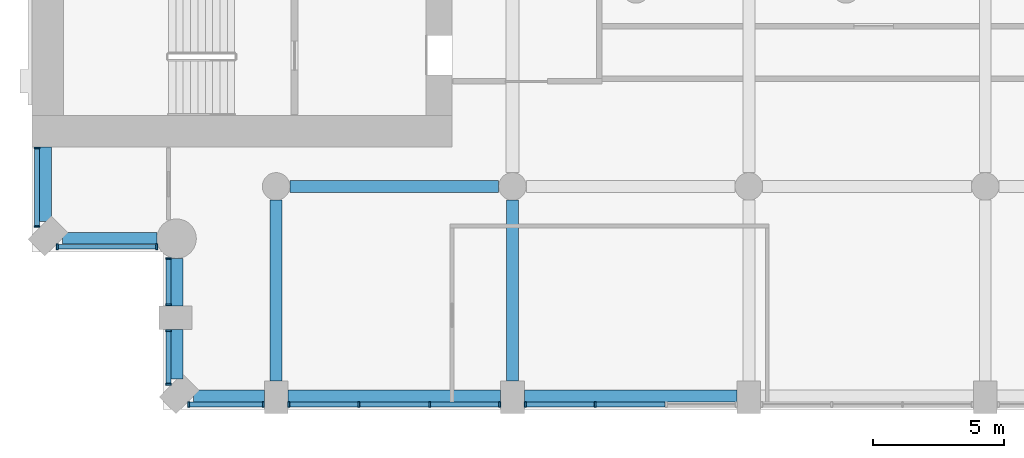
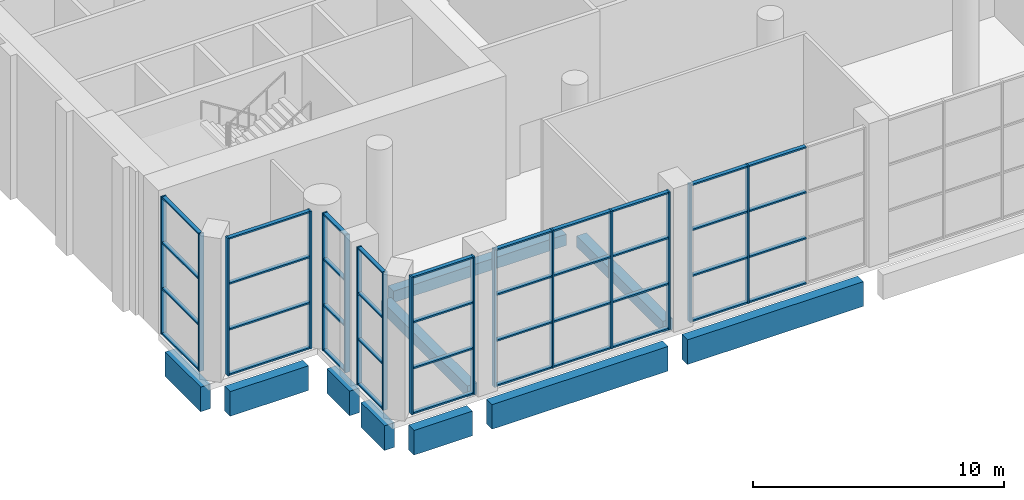
# One storey, part 2 of 22: 56 members, 10 beams, 7 elements without a shape of their own.
"""IFC4 building model written with IfcOpenShell, lengths in metres."""

from ifc_helpers import new_model, si_unit, direction, frame, origin, origin_2d, place, context, subcontext, project, spatial, rectangle, extrude, material, material_profile, profile_set, type_object, element, aggregate, save


model = new_model("IFC4")

# Units and contexts
model_context = context("Model", 3, precision=1e-05, world=origin(), true_north=direction((0.0, 1.0)))
body_context = subcontext(model_context, "Body", "Model", "MODEL_VIEW")
ifc_project = project(units=[si_unit("LENGTHUNIT", "METRE"), si_unit("AREAUNIT", "SQUARE_METRE"), si_unit("VOLUMEUNIT", "CUBIC_METRE"), si_unit("PLANEANGLEUNIT", "RADIAN"), si_unit("MASSUNIT", "GRAM", prefix="KILO")], contexts=[model_context])

# Site, building, storey
site_placement = place(None, origin())
site = spatial("IfcSite", under=ifc_project, at=site_placement, CompositionType="ELEMENT")
building_placement = place(site_placement, origin())
building = spatial("IfcBuilding", under=site, at=building_placement, Name="Cypress Arch Tower", CompositionType="ELEMENT")
storey_placement = place(building_placement, frame((0.0, 0.0, 145.5)))
storey = spatial("IfcBuildingStorey", under=building, at=storey_placement, Name="L32", CompositionType="ELEMENT", Elevation=145.5)

# Beams
ifc_material_1 = material(Name="Concrete C50/60", Category="concrete")
ifc_material_profile_1 = material_profile(ifc_material_1, rectangle(XDim=0.449951171875, YDim=0.550048828125, at=origin_2d()), Name="RC 450x550")
ifc_profile_set_1 = profile_set([ifc_material_profile_1], Name="Concrete C50/60")
beam_type_1 = type_object("IfcBeamType", Name="Floor beam RC 450x550 Concrete C50/60", PredefinedType="BEAM", material=ifc_profile_set_1)
beam_1_placement = place(storey_placement, frame((-20.175048828125, -17.5, -0.574951171875), z_axis=(1.0, 0.0, 0.0), x_axis=(0.0, 1.0, 0.0)))
element("IfcBeam", 1, at=beam_1_placement, inside=storey, type_object=beam_type_1, Name="Floor beam L32 FB009", PredefinedType="BEAM", context=body_context, shape_type="SweptSolid", body=[
    extrude(rectangle(XDim=0.449951171875, YDim=0.550048828125, at=origin_2d()), origin(), (0.0, 0.0, 1.0), 7.949951171875),
])
for number, where, z_axis, x_axis, name in (
    (2, (-20.699951171875, -24.89990234375, -0.574951171875), (0.0, 1.0, 0.0), (-1.0, 0.0, 0.0), "Floor beam L32 FB019"),
    (3, (-11.699951171875, -24.89990234375, -0.574951171875), (0.0, 1.0, 0.0), (-1.0, 0.0, 0.0), "Floor beam L32 FB021"),
):
    element("IfcBeam", number, at=place(storey_placement, frame(where, z_axis=z_axis, x_axis=x_axis)), inside=storey, type_object=beam_type_1, Name=name, PredefinedType="BEAM", context=body_context, shape_type="SweptSolid", body=[
        extrude(rectangle(XDim=0.449951171875, YDim=0.550048828125, at=origin_2d()), origin(), (0.0, 0.0, 1.0), 6.875),
    ])

# Curtain wall, members
ifc_material_2 = material(Name="Anodised aluminium, bronze finish, solar control laminated double glazing", Category="aluminium")
curtain_wall_type = type_object("IfcCurtainWallType", Name="Curtain wall CW3 sky lobby glazing", PredefinedType="NOTDEFINED", material=ifc_material_2)
curtain_wall_1_placement = place(storey_placement, origin())
curtain_wall_1 = element("IfcCurtainWall", 4, at=curtain_wall_1_placement, inside=storey, type_object=curtain_wall_type, Name="Curtain wall L32 A00.0.1.1", PredefinedType="NOTDEFINED")
ifc_material_3 = material(Name="Anodised aluminium, bronze finish", Category="aluminium")
ifc_material_profile_2 = material_profile(ifc_material_3, rectangle(XDim=0.219970703125, YDim=0.074951171875, at=origin_2d()), Name="Mullion 75x220")
ifc_profile_set_2 = profile_set([ifc_material_profile_2], Name="Anodised aluminium, bronze finish")
member_type_1 = type_object("IfcMemberType", Name="Mullion CW3 75x220", PredefinedType="MULLION", material=ifc_profile_set_2)
member_1_placement = place(storey_placement, frame((-29.800048828125, -16.03759765625, 0.0), z_axis=(0.0, 0.0, 1.0), x_axis=(1.0, 0.0, 0.0)))
member_1 = element("IfcMember", 5, at=member_1_placement, type_object=member_type_1, Name="CW3 mullion 1", PredefinedType="MULLION", context=body_context, shape_type="SweptSolid", body=[
    extrude(rectangle(XDim=0.219970703125, YDim=0.074951171875, at=origin_2d()), origin(), (0.0, 0.0, 1.0), 6.699951171875),
])
member_2_placement = place(storey_placement, frame((-29.800048828125, -19.026123046875, 0.0), z_axis=(0.0, 0.0, 1.0), x_axis=(1.0, 0.0, 0.0)))
member_2 = element("IfcMember", 6, at=member_2_placement, type_object=member_type_1, Name="CW3 mullion 2", PredefinedType="MULLION", context=body_context, shape_type="SweptSolid", body=[
    extrude(rectangle(XDim=0.219970703125, YDim=0.074951171875, at=origin_2d()), origin(), (0.0, 0.0, 1.0), 6.699951171875),
])

curtain_wall_2_placement = place(storey_placement, origin())
curtain_wall_2 = element("IfcCurtainWall", 7, at=curtain_wall_2_placement, inside=storey, type_object=curtain_wall_type, Name="Curtain wall L32 A01.0.1", PredefinedType="NOTDEFINED")
member_3_placement = place(storey_placement, frame((-29.026123046875, -19.800048828125, 0.0), z_axis=(0.0, 0.0, 1.0), x_axis=(0.0, 1.0, 0.0)))
member_3 = element("IfcMember", 8, at=member_3_placement, type_object=member_type_1, Name="CW3 mullion 1", PredefinedType="MULLION", context=body_context, shape_type="SweptSolid", body=[
    extrude(rectangle(XDim=0.219970703125, YDim=0.074951171875, at=origin_2d()), origin(), (0.0, 0.0, 1.0), 6.699951171875),
])
member_4_placement = place(storey_placement, frame((-25.244384765625, -19.800048828125, 0.0), z_axis=(0.0, 0.0, 1.0), x_axis=(0.0, 1.0, 0.0)))
member_4 = element("IfcMember", 9, at=member_4_placement, type_object=member_type_1, Name="CW3 mullion 2", PredefinedType="MULLION", context=body_context, shape_type="SweptSolid", body=[
    extrude(rectangle(XDim=0.219970703125, YDim=0.074951171875, at=origin_2d()), origin(), (0.0, 0.0, 1.0), 6.699951171875),
])

curtain_wall_3_placement = place(storey_placement, origin())
curtain_wall_3 = element("IfcCurtainWall", 10, at=curtain_wall_3_placement, inside=storey, type_object=curtain_wall_type, Name="Curtain wall L32 A02.0.1", PredefinedType="NOTDEFINED")
member_5_placement = place(storey_placement, frame((-24.800048828125, -20.244384765625, 0.0), z_axis=(0.0, 0.0, 1.0), x_axis=(1.0, 0.0, 0.0)))
member_5 = element("IfcMember", 11, at=member_5_placement, type_object=member_type_1, Name="CW3 mullion 1", PredefinedType="MULLION", context=body_context, shape_type="SweptSolid", body=[
    extrude(rectangle(XDim=0.219970703125, YDim=0.074951171875, at=origin_2d()), origin(), (0.0, 0.0, 1.0), 6.699951171875),
])
member_6_placement = place(storey_placement, frame((-24.800048828125, -22.012451171875, 0.0), z_axis=(0.0, 0.0, 1.0), x_axis=(1.0, 0.0, 0.0)))
member_6 = element("IfcMember", 12, at=member_6_placement, type_object=member_type_1, Name="CW3 mullion 2", PredefinedType="MULLION", context=body_context, shape_type="SweptSolid", body=[
    extrude(rectangle(XDim=0.219970703125, YDim=0.074951171875, at=origin_2d()), origin(), (0.0, 0.0, 1.0), 6.699951171875),
])

curtain_wall_4_placement = place(storey_placement, origin())
curtain_wall_4 = element("IfcCurtainWall", 13, at=curtain_wall_4_placement, inside=storey, type_object=curtain_wall_type, Name="Curtain wall L32 A02.1.1", PredefinedType="NOTDEFINED")
member_7_placement = place(storey_placement, frame((-24.800048828125, -22.987548828125, 0.0), z_axis=(0.0, 0.0, 1.0), x_axis=(1.0, 0.0, 0.0)))
member_7 = element("IfcMember", 14, at=member_7_placement, type_object=member_type_1, Name="CW3 mullion 1", PredefinedType="MULLION", context=body_context, shape_type="SweptSolid", body=[
    extrude(rectangle(XDim=0.219970703125, YDim=0.074951171875, at=origin_2d()), origin(), (0.0, 0.0, 1.0), 6.699951171875),
])
member_8_placement = place(storey_placement, frame((-24.800048828125, -25.026123046875, 0.0), z_axis=(0.0, 0.0, 1.0), x_axis=(1.0, 0.0, 0.0)))
member_8 = element("IfcMember", 15, at=member_8_placement, type_object=member_type_1, Name="CW3 mullion 2", PredefinedType="MULLION", context=body_context, shape_type="SweptSolid", body=[
    extrude(rectangle(XDim=0.219970703125, YDim=0.074951171875, at=origin_2d()), origin(), (0.0, 0.0, 1.0), 6.699951171875),
])

curtain_wall_5_placement = place(storey_placement, origin())
curtain_wall_5 = element("IfcCurtainWall", 16, at=curtain_wall_5_placement, inside=storey, type_object=curtain_wall_type, Name="Curtain wall L32 A03.0.1", PredefinedType="NOTDEFINED")
member_9_placement = place(storey_placement, frame((-24.026123046875, -25.800048828125, 0.0), z_axis=(0.0, 0.0, 1.0), x_axis=(0.0, 1.0, 0.0)))
member_9 = element("IfcMember", 17, at=member_9_placement, type_object=member_type_1, Name="CW3 mullion 1", PredefinedType="MULLION", context=body_context, shape_type="SweptSolid", body=[
    extrude(rectangle(XDim=0.219970703125, YDim=0.074951171875, at=origin_2d()), origin(), (0.0, 0.0, 1.0), 6.699951171875),
])
member_10_placement = place(storey_placement, frame((-21.1875, -25.800048828125, 0.0), z_axis=(0.0, 0.0, 1.0), x_axis=(0.0, 1.0, 0.0)))
member_10 = element("IfcMember", 18, at=member_10_placement, type_object=member_type_1, Name="CW3 mullion 2", PredefinedType="MULLION", context=body_context, shape_type="SweptSolid", body=[
    extrude(rectangle(XDim=0.219970703125, YDim=0.074951171875, at=origin_2d()), origin(), (0.0, 0.0, 1.0), 6.699951171875),
])

curtain_wall_6_placement = place(storey_placement, origin())
curtain_wall_6 = element("IfcCurtainWall", 19, at=curtain_wall_6_placement, inside=storey, type_object=curtain_wall_type, Name="Curtain wall L32 A03.1.1", PredefinedType="NOTDEFINED")
member_11_placement = place(storey_placement, frame((-20.21240234375, -25.800048828125, 0.0), z_axis=(0.0, 0.0, 1.0), x_axis=(0.0, 1.0, 0.0)))
member_11 = element("IfcMember", 20, at=member_11_placement, type_object=member_type_1, Name="CW3 mullion 1", PredefinedType="MULLION", context=body_context, shape_type="SweptSolid", body=[
    extrude(rectangle(XDim=0.219970703125, YDim=0.074951171875, at=origin_2d()), origin(), (0.0, 0.0, 1.0), 6.699951171875),
])
member_12_placement = place(storey_placement, frame((-17.550048828125, -25.800048828125, 0.0), z_axis=(0.0, 0.0, 1.0), x_axis=(0.0, 1.0, 0.0)))
member_12 = element("IfcMember", 21, at=member_12_placement, type_object=member_type_1, Name="CW3 mullion 2", PredefinedType="MULLION", context=body_context, shape_type="SweptSolid", body=[
    extrude(rectangle(XDim=0.219970703125, YDim=0.074951171875, at=origin_2d()), origin(), (0.0, 0.0, 1.0), 6.699951171875),
])
member_13_placement = place(storey_placement, frame((-14.85009765625, -25.800048828125, 0.0), z_axis=(0.0, 0.0, 1.0), x_axis=(0.0, 1.0, 0.0)))
member_13 = element("IfcMember", 22, at=member_13_placement, type_object=member_type_1, Name="CW3 mullion 3", PredefinedType="MULLION", context=body_context, shape_type="SweptSolid", body=[
    extrude(rectangle(XDim=0.219970703125, YDim=0.074951171875, at=origin_2d()), origin(), (0.0, 0.0, 1.0), 6.699951171875),
])
member_14_placement = place(storey_placement, frame((-12.1875, -25.800048828125, 0.0), z_axis=(0.0, 0.0, 1.0), x_axis=(0.0, 1.0, 0.0)))
member_14 = element("IfcMember", 23, at=member_14_placement, type_object=member_type_1, Name="CW3 mullion 4", PredefinedType="MULLION", context=body_context, shape_type="SweptSolid", body=[
    extrude(rectangle(XDim=0.219970703125, YDim=0.074951171875, at=origin_2d()), origin(), (0.0, 0.0, 1.0), 6.699951171875),
])

curtain_wall_7_placement = place(storey_placement, origin())
curtain_wall_7 = element("IfcCurtainWall", 24, at=curtain_wall_7_placement, inside=storey, type_object=curtain_wall_type, Name="Curtain wall L32 A03.2.1", PredefinedType="NOTDEFINED")
member_15_placement = place(storey_placement, frame((-11.21240234375, -25.800048828125, 0.0), z_axis=(0.0, 0.0, 1.0), x_axis=(0.0, 1.0, 0.0)))
member_15 = element("IfcMember", 25, at=member_15_placement, type_object=member_type_1, Name="CW3 mullion 1", PredefinedType="MULLION", context=body_context, shape_type="SweptSolid", body=[
    extrude(rectangle(XDim=0.219970703125, YDim=0.074951171875, at=origin_2d()), origin(), (0.0, 0.0, 1.0), 6.699951171875),
])
member_16_placement = place(storey_placement, frame((-8.550048828125, -25.800048828125, 0.0), z_axis=(0.0, 0.0, 1.0), x_axis=(0.0, 1.0, 0.0)))
member_16 = element("IfcMember", 26, at=member_16_placement, type_object=member_type_1, Name="CW3 mullion 2", PredefinedType="MULLION", context=body_context, shape_type="SweptSolid", body=[
    extrude(rectangle(XDim=0.219970703125, YDim=0.074951171875, at=origin_2d()), origin(), (0.0, 0.0, 1.0), 6.699951171875),
])

# Beams
ifc_material_4 = material(Name="Concrete C50/60", Category="concrete")
ifc_material_profile_3 = material_profile(ifc_material_4, rectangle(XDim=0.449951171875, YDim=1.199951171875, at=origin_2d()), Name="RC 450x1200")
ifc_profile_set_3 = profile_set([ifc_material_profile_3], Name="Concrete C50/60")
beam_type_2 = type_object("IfcBeamType", Name="Spandrel beam RC 450x1200 Concrete C50/60", PredefinedType="SPANDREL", material=ifc_profile_set_3)
beam_2_placement = place(storey_placement, frame((-29.47509765625, -16.0, -1.550048828125), z_axis=(0.0, -1.0, 0.0), x_axis=(1.0, 0.0, 0.0)))
element("IfcBeam", 27, at=beam_2_placement, inside=storey, type_object=beam_type_2, Name="Spandrel beam L32 BA00-0", PredefinedType="SPANDREL", context=body_context, shape_type="SweptSolid", body=[
    extrude(rectangle(XDim=0.449951171875, YDim=1.199951171875, at=origin_2d()), origin(), (0.0, 0.0, 1.0), 2.838623046875),
])
beam_3_placement = place(storey_placement, frame((-28.838623046875, -19.47509765625, -1.550048828125), z_axis=(1.0, 0.0, 0.0), x_axis=(0.0, 1.0, 0.0)))
element("IfcBeam", 28, at=beam_3_placement, inside=storey, type_object=beam_type_2, Name="Spandrel beam L32 BA01-0", PredefinedType="SPANDREL", context=body_context, shape_type="SweptSolid", body=[
    extrude(rectangle(XDim=0.449951171875, YDim=1.199951171875, at=origin_2d()), origin(), (0.0, 0.0, 1.0), 3.60107421875),
])
beam_4_placement = place(storey_placement, frame((-24.47509765625, -20.237548828125, -1.550048828125), z_axis=(0.0, -1.0, 0.0), x_axis=(1.0, 0.0, 0.0)))
element("IfcBeam", 29, at=beam_4_placement, inside=storey, type_object=beam_type_2, Name="Spandrel beam L32 BA02-0", PredefinedType="SPANDREL", context=body_context, shape_type="SweptSolid", body=[
    extrude(rectangle(XDim=0.449951171875, YDim=1.199951171875, at=origin_2d()), origin(), (0.0, 0.0, 1.0), 1.8125),
])
beam_5_placement = place(storey_placement, frame((-24.47509765625, -22.949951171875, -1.550048828125), z_axis=(0.0, -1.0, 0.0), x_axis=(1.0, 0.0, 0.0)))
element("IfcBeam", 30, at=beam_5_placement, inside=storey, type_object=beam_type_2, Name="Spandrel beam L32 BA02-1", PredefinedType="SPANDREL", context=body_context, shape_type="SweptSolid", body=[
    extrude(rectangle(XDim=0.449951171875, YDim=1.199951171875, at=origin_2d()), origin(), (0.0, 0.0, 1.0), 1.888671875),
])
beam_6_placement = place(storey_placement, frame((-23.838623046875, -25.47509765625, -1.550048828125), z_axis=(1.0, 0.0, 0.0), x_axis=(0.0, 1.0, 0.0)))
element("IfcBeam", 31, at=beam_6_placement, inside=storey, type_object=beam_type_2, Name="Spandrel beam L32 BA03-0", PredefinedType="SPANDREL", context=body_context, shape_type="SweptSolid", body=[
    extrude(rectangle(XDim=0.449951171875, YDim=1.199951171875, at=origin_2d()), origin(), (0.0, 0.0, 1.0), 2.688720703125),
])
for number, where, z_axis, x_axis, name in (
    (32, (-20.25, -25.47509765625, -1.550048828125), (1.0, 0.0, 0.0), (0.0, 1.0, 0.0), "Spandrel beam L32 BA03-1"),
    (33, (-11.25, -25.47509765625, -1.550048828125), (1.0, 0.0, 0.0), (0.0, 1.0, 0.0), "Spandrel beam L32 BA03-2"),
):
    element("IfcBeam", number, at=place(storey_placement, frame(where, z_axis=z_axis, x_axis=x_axis)), inside=storey, type_object=beam_type_2, Name=name, PredefinedType="SPANDREL", context=body_context, shape_type="SweptSolid", body=[
        extrude(rectangle(XDim=0.449951171875, YDim=1.199951171875, at=origin_2d()), origin(), (0.0, 0.0, 1.0), 8.10009765625),
    ])

# Member
ifc_material_5 = material(Name="Anodised aluminium, bronze finish", Category="aluminium")
ifc_material_profile_4 = material_profile(ifc_material_5, rectangle(XDim=0.179931640625, YDim=0.074951171875, at=origin_2d()), Name="Transom 75x180")
ifc_profile_set_4 = profile_set([ifc_material_profile_4], Name="Anodised aluminium, bronze finish")
member_type_2 = type_object("IfcMemberType", Name="Transom CW3 75x180", PredefinedType="USERDEFINED", material=ifc_profile_set_4)
member_17_placement = place(storey_placement, frame((-29.800048828125, -16.074951171875, 0.03759765625), z_axis=(0.0, -1.0, 0.0), x_axis=(1.0, 0.0, 0.0)))
member_17 = element("IfcMember", 34, at=member_17_placement, type_object=member_type_2, Name="CW3 transom 1.1", ObjectType="TRANSOM", PredefinedType="USERDEFINED", context=body_context, shape_type="SweptSolid", body=[
    extrude(rectangle(XDim=0.179931640625, YDim=0.074951171875, at=origin_2d()), origin(), (0.0, 0.0, 1.0), 2.91357421875),
])

member_18_placement = place(storey_placement, frame((-29.800048828125, -16.074951171875, 2.2333984375), z_axis=(0.0, -1.0, 0.0), x_axis=(1.0, 0.0, 0.0)))
member_18 = element("IfcMember", 35, at=member_18_placement, type_object=member_type_2, Name="CW3 transom 1.2", ObjectType="TRANSOM", PredefinedType="USERDEFINED", context=body_context, shape_type="SweptSolid", body=[
    extrude(rectangle(XDim=0.179931640625, YDim=0.074951171875, at=origin_2d()), origin(), (0.0, 0.0, 1.0), 2.91357421875),
])

member_19_placement = place(storey_placement, frame((-29.800048828125, -16.074951171875, 4.466552734375), z_axis=(0.0, -1.0, 0.0), x_axis=(1.0, 0.0, 0.0)))
member_19 = element("IfcMember", 36, at=member_19_placement, type_object=member_type_2, Name="CW3 transom 1.3", ObjectType="TRANSOM", PredefinedType="USERDEFINED", context=body_context, shape_type="SweptSolid", body=[
    extrude(rectangle(XDim=0.179931640625, YDim=0.074951171875, at=origin_2d()), origin(), (0.0, 0.0, 1.0), 2.91357421875),
])

member_20_placement = place(storey_placement, frame((-29.800048828125, -16.074951171875, 6.66259765625), z_axis=(0.0, -1.0, 0.0), x_axis=(1.0, 0.0, 0.0)))
member_20 = element("IfcMember", 37, at=member_20_placement, type_object=member_type_2, Name="CW3 transom 1.4", ObjectType="TRANSOM", PredefinedType="USERDEFINED", context=body_context, shape_type="SweptSolid", body=[
    extrude(rectangle(XDim=0.179931640625, YDim=0.074951171875, at=origin_2d()), origin(), (0.0, 0.0, 1.0), 2.91357421875),
])

aggregate(curtain_wall_1, [member_1, member_2, member_17, member_18, member_19, member_20])

member_21_placement = place(storey_placement, frame((-28.988525390625, -19.800048828125, 0.03759765625), z_axis=(1.0, 0.0, 0.0), x_axis=(0.0, 1.0, 0.0)))
member_21 = element("IfcMember", 38, at=member_21_placement, type_object=member_type_2, Name="CW3 transom 1.1", ObjectType="TRANSOM", PredefinedType="USERDEFINED", context=body_context, shape_type="SweptSolid", body=[
    extrude(rectangle(XDim=0.179931640625, YDim=0.074951171875, at=origin_2d()), origin(), (0.0, 0.0, 1.0), 3.70654296875),
])

member_22_placement = place(storey_placement, frame((-28.988525390625, -19.800048828125, 2.2333984375), z_axis=(1.0, 0.0, 0.0), x_axis=(0.0, 1.0, 0.0)))
member_22 = element("IfcMember", 39, at=member_22_placement, type_object=member_type_2, Name="CW3 transom 1.2", ObjectType="TRANSOM", PredefinedType="USERDEFINED", context=body_context, shape_type="SweptSolid", body=[
    extrude(rectangle(XDim=0.179931640625, YDim=0.074951171875, at=origin_2d()), origin(), (0.0, 0.0, 1.0), 3.70654296875),
])

member_23_placement = place(storey_placement, frame((-28.988525390625, -19.800048828125, 4.466552734375), z_axis=(1.0, 0.0, 0.0), x_axis=(0.0, 1.0, 0.0)))
member_23 = element("IfcMember", 40, at=member_23_placement, type_object=member_type_2, Name="CW3 transom 1.3", ObjectType="TRANSOM", PredefinedType="USERDEFINED", context=body_context, shape_type="SweptSolid", body=[
    extrude(rectangle(XDim=0.179931640625, YDim=0.074951171875, at=origin_2d()), origin(), (0.0, 0.0, 1.0), 3.70654296875),
])

member_24_placement = place(storey_placement, frame((-28.988525390625, -19.800048828125, 6.66259765625), z_axis=(1.0, 0.0, 0.0), x_axis=(0.0, 1.0, 0.0)))
member_24 = element("IfcMember", 41, at=member_24_placement, type_object=member_type_2, Name="CW3 transom 1.4", ObjectType="TRANSOM", PredefinedType="USERDEFINED", context=body_context, shape_type="SweptSolid", body=[
    extrude(rectangle(XDim=0.179931640625, YDim=0.074951171875, at=origin_2d()), origin(), (0.0, 0.0, 1.0), 3.70654296875),
])

aggregate(curtain_wall_2, [member_3, member_4, member_21, member_22, member_23, member_24])

member_25_placement = place(storey_placement, frame((-24.800048828125, -20.281982421875, 0.03759765625), z_axis=(0.0, -1.0, 0.0), x_axis=(1.0, 0.0, 0.0)))
member_25 = element("IfcMember", 42, at=member_25_placement, type_object=member_type_2, Name="CW3 transom 1.1", ObjectType="TRANSOM", PredefinedType="USERDEFINED", context=body_context, shape_type="SweptSolid", body=[
    extrude(rectangle(XDim=0.179931640625, YDim=0.074951171875, at=origin_2d()), origin(), (0.0, 0.0, 1.0), 1.693115234375),
])

member_26_placement = place(storey_placement, frame((-24.800048828125, -20.281982421875, 2.2333984375), z_axis=(0.0, -1.0, 0.0), x_axis=(1.0, 0.0, 0.0)))
member_26 = element("IfcMember", 43, at=member_26_placement, type_object=member_type_2, Name="CW3 transom 1.2", ObjectType="TRANSOM", PredefinedType="USERDEFINED", context=body_context, shape_type="SweptSolid", body=[
    extrude(rectangle(XDim=0.179931640625, YDim=0.074951171875, at=origin_2d()), origin(), (0.0, 0.0, 1.0), 1.693115234375),
])

member_27_placement = place(storey_placement, frame((-24.800048828125, -20.281982421875, 4.466552734375), z_axis=(0.0, -1.0, 0.0), x_axis=(1.0, 0.0, 0.0)))
member_27 = element("IfcMember", 44, at=member_27_placement, type_object=member_type_2, Name="CW3 transom 1.3", ObjectType="TRANSOM", PredefinedType="USERDEFINED", context=body_context, shape_type="SweptSolid", body=[
    extrude(rectangle(XDim=0.179931640625, YDim=0.074951171875, at=origin_2d()), origin(), (0.0, 0.0, 1.0), 1.693115234375),
])

member_28_placement = place(storey_placement, frame((-24.800048828125, -20.281982421875, 6.66259765625), z_axis=(0.0, -1.0, 0.0), x_axis=(1.0, 0.0, 0.0)))
member_28 = element("IfcMember", 45, at=member_28_placement, type_object=member_type_2, Name="CW3 transom 1.4", ObjectType="TRANSOM", PredefinedType="USERDEFINED", context=body_context, shape_type="SweptSolid", body=[
    extrude(rectangle(XDim=0.179931640625, YDim=0.074951171875, at=origin_2d()), origin(), (0.0, 0.0, 1.0), 1.693115234375),
])

aggregate(curtain_wall_3, [member_5, member_6, member_25, member_26, member_27, member_28])

member_29_placement = place(storey_placement, frame((-24.800048828125, -23.02490234375, 0.03759765625), z_axis=(0.0, -1.0, 0.0), x_axis=(1.0, 0.0, 0.0)))
member_29 = element("IfcMember", 46, at=member_29_placement, type_object=member_type_2, Name="CW3 transom 1.1", ObjectType="TRANSOM", PredefinedType="USERDEFINED", context=body_context, shape_type="SweptSolid", body=[
    extrude(rectangle(XDim=0.179931640625, YDim=0.074951171875, at=origin_2d()), origin(), (0.0, 0.0, 1.0), 1.963623046875),
])

member_30_placement = place(storey_placement, frame((-24.800048828125, -23.02490234375, 2.2333984375), z_axis=(0.0, -1.0, 0.0), x_axis=(1.0, 0.0, 0.0)))
member_30 = element("IfcMember", 47, at=member_30_placement, type_object=member_type_2, Name="CW3 transom 1.2", ObjectType="TRANSOM", PredefinedType="USERDEFINED", context=body_context, shape_type="SweptSolid", body=[
    extrude(rectangle(XDim=0.179931640625, YDim=0.074951171875, at=origin_2d()), origin(), (0.0, 0.0, 1.0), 1.963623046875),
])

member_31_placement = place(storey_placement, frame((-24.800048828125, -23.02490234375, 4.466552734375), z_axis=(0.0, -1.0, 0.0), x_axis=(1.0, 0.0, 0.0)))
member_31 = element("IfcMember", 48, at=member_31_placement, type_object=member_type_2, Name="CW3 transom 1.3", ObjectType="TRANSOM", PredefinedType="USERDEFINED", context=body_context, shape_type="SweptSolid", body=[
    extrude(rectangle(XDim=0.179931640625, YDim=0.074951171875, at=origin_2d()), origin(), (0.0, 0.0, 1.0), 1.963623046875),
])

member_32_placement = place(storey_placement, frame((-24.800048828125, -23.02490234375, 6.66259765625), z_axis=(0.0, -1.0, 0.0), x_axis=(1.0, 0.0, 0.0)))
member_32 = element("IfcMember", 49, at=member_32_placement, type_object=member_type_2, Name="CW3 transom 1.4", ObjectType="TRANSOM", PredefinedType="USERDEFINED", context=body_context, shape_type="SweptSolid", body=[
    extrude(rectangle(XDim=0.179931640625, YDim=0.074951171875, at=origin_2d()), origin(), (0.0, 0.0, 1.0), 1.963623046875),
])

aggregate(curtain_wall_4, [member_7, member_8, member_29, member_30, member_31, member_32])

member_33_placement = place(storey_placement, frame((-23.988525390625, -25.800048828125, 0.03759765625), z_axis=(1.0, 0.0, 0.0), x_axis=(0.0, 1.0, 0.0)))
member_33 = element("IfcMember", 50, at=member_33_placement, type_object=member_type_2, Name="CW3 transom 1.1", ObjectType="TRANSOM", PredefinedType="USERDEFINED", context=body_context, shape_type="SweptSolid", body=[
    extrude(rectangle(XDim=0.179931640625, YDim=0.074951171875, at=origin_2d()), origin(), (0.0, 0.0, 1.0), 2.763427734375),
])

member_34_placement = place(storey_placement, frame((-23.988525390625, -25.800048828125, 2.2333984375), z_axis=(1.0, 0.0, 0.0), x_axis=(0.0, 1.0, 0.0)))
member_34 = element("IfcMember", 51, at=member_34_placement, type_object=member_type_2, Name="CW3 transom 1.2", ObjectType="TRANSOM", PredefinedType="USERDEFINED", context=body_context, shape_type="SweptSolid", body=[
    extrude(rectangle(XDim=0.179931640625, YDim=0.074951171875, at=origin_2d()), origin(), (0.0, 0.0, 1.0), 2.763427734375),
])

member_35_placement = place(storey_placement, frame((-23.988525390625, -25.800048828125, 4.466552734375), z_axis=(1.0, 0.0, 0.0), x_axis=(0.0, 1.0, 0.0)))
member_35 = element("IfcMember", 52, at=member_35_placement, type_object=member_type_2, Name="CW3 transom 1.3", ObjectType="TRANSOM", PredefinedType="USERDEFINED", context=body_context, shape_type="SweptSolid", body=[
    extrude(rectangle(XDim=0.179931640625, YDim=0.074951171875, at=origin_2d()), origin(), (0.0, 0.0, 1.0), 2.763427734375),
])

member_36_placement = place(storey_placement, frame((-23.988525390625, -25.800048828125, 6.66259765625), z_axis=(1.0, 0.0, 0.0), x_axis=(0.0, 1.0, 0.0)))
member_36 = element("IfcMember", 53, at=member_36_placement, type_object=member_type_2, Name="CW3 transom 1.4", ObjectType="TRANSOM", PredefinedType="USERDEFINED", context=body_context, shape_type="SweptSolid", body=[
    extrude(rectangle(XDim=0.179931640625, YDim=0.074951171875, at=origin_2d()), origin(), (0.0, 0.0, 1.0), 2.763427734375),
])

aggregate(curtain_wall_5, [member_9, member_10, member_33, member_34, member_35, member_36])

member_37_placement = place(storey_placement, frame((-20.175048828125, -25.800048828125, 0.03759765625), z_axis=(1.0, 0.0, 0.0), x_axis=(0.0, 1.0, 0.0)))
member_37 = element("IfcMember", 54, at=member_37_placement, type_object=member_type_2, Name="CW3 transom 1.1", ObjectType="TRANSOM", PredefinedType="USERDEFINED", context=body_context, shape_type="SweptSolid", body=[
    extrude(rectangle(XDim=0.179931640625, YDim=0.074951171875, at=origin_2d()), origin(), (0.0, 0.0, 1.0), 2.587646484375),
])

member_38_placement = place(storey_placement, frame((-20.175048828125, -25.800048828125, 2.2333984375), z_axis=(1.0, 0.0, 0.0), x_axis=(0.0, 1.0, 0.0)))
member_38 = element("IfcMember", 55, at=member_38_placement, type_object=member_type_2, Name="CW3 transom 1.2", ObjectType="TRANSOM", PredefinedType="USERDEFINED", context=body_context, shape_type="SweptSolid", body=[
    extrude(rectangle(XDim=0.179931640625, YDim=0.074951171875, at=origin_2d()), origin(), (0.0, 0.0, 1.0), 2.587646484375),
])

member_39_placement = place(storey_placement, frame((-20.175048828125, -25.800048828125, 4.466552734375), z_axis=(1.0, 0.0, 0.0), x_axis=(0.0, 1.0, 0.0)))
member_39 = element("IfcMember", 56, at=member_39_placement, type_object=member_type_2, Name="CW3 transom 1.3", ObjectType="TRANSOM", PredefinedType="USERDEFINED", context=body_context, shape_type="SweptSolid", body=[
    extrude(rectangle(XDim=0.179931640625, YDim=0.074951171875, at=origin_2d()), origin(), (0.0, 0.0, 1.0), 2.587646484375),
])

member_40_placement = place(storey_placement, frame((-20.175048828125, -25.800048828125, 6.66259765625), z_axis=(1.0, 0.0, 0.0), x_axis=(0.0, 1.0, 0.0)))
member_40 = element("IfcMember", 57, at=member_40_placement, type_object=member_type_2, Name="CW3 transom 1.4", ObjectType="TRANSOM", PredefinedType="USERDEFINED", context=body_context, shape_type="SweptSolid", body=[
    extrude(rectangle(XDim=0.179931640625, YDim=0.074951171875, at=origin_2d()), origin(), (0.0, 0.0, 1.0), 2.587646484375),
])

member_41_placement = place(storey_placement, frame((-17.512451171875, -25.800048828125, 0.03759765625), z_axis=(1.0, 0.0, 0.0), x_axis=(0.0, 1.0, 0.0)))
member_41 = element("IfcMember", 58, at=member_41_placement, type_object=member_type_2, Name="CW3 transom 2.1", ObjectType="TRANSOM", PredefinedType="USERDEFINED", context=body_context, shape_type="SweptSolid", body=[
    extrude(rectangle(XDim=0.179931640625, YDim=0.074951171875, at=origin_2d()), origin(), (0.0, 0.0, 1.0), 2.625),
])

member_42_placement = place(storey_placement, frame((-17.512451171875, -25.800048828125, 2.2333984375), z_axis=(1.0, 0.0, 0.0), x_axis=(0.0, 1.0, 0.0)))
member_42 = element("IfcMember", 59, at=member_42_placement, type_object=member_type_2, Name="CW3 transom 2.2", ObjectType="TRANSOM", PredefinedType="USERDEFINED", context=body_context, shape_type="SweptSolid", body=[
    extrude(rectangle(XDim=0.179931640625, YDim=0.074951171875, at=origin_2d()), origin(), (0.0, 0.0, 1.0), 2.625),
])

member_43_placement = place(storey_placement, frame((-17.512451171875, -25.800048828125, 4.466552734375), z_axis=(1.0, 0.0, 0.0), x_axis=(0.0, 1.0, 0.0)))
member_43 = element("IfcMember", 60, at=member_43_placement, type_object=member_type_2, Name="CW3 transom 2.3", ObjectType="TRANSOM", PredefinedType="USERDEFINED", context=body_context, shape_type="SweptSolid", body=[
    extrude(rectangle(XDim=0.179931640625, YDim=0.074951171875, at=origin_2d()), origin(), (0.0, 0.0, 1.0), 2.625),
])

member_44_placement = place(storey_placement, frame((-17.512451171875, -25.800048828125, 6.66259765625), z_axis=(1.0, 0.0, 0.0), x_axis=(0.0, 1.0, 0.0)))
member_44 = element("IfcMember", 61, at=member_44_placement, type_object=member_type_2, Name="CW3 transom 2.4", ObjectType="TRANSOM", PredefinedType="USERDEFINED", context=body_context, shape_type="SweptSolid", body=[
    extrude(rectangle(XDim=0.179931640625, YDim=0.074951171875, at=origin_2d()), origin(), (0.0, 0.0, 1.0), 2.625),
])

member_45_placement = place(storey_placement, frame((-14.8125, -25.800048828125, 0.03759765625), z_axis=(1.0, 0.0, 0.0), x_axis=(0.0, 1.0, 0.0)))
member_45 = element("IfcMember", 62, at=member_45_placement, type_object=member_type_2, Name="CW3 transom 3.1", ObjectType="TRANSOM", PredefinedType="USERDEFINED", context=body_context, shape_type="SweptSolid", body=[
    extrude(rectangle(XDim=0.179931640625, YDim=0.074951171875, at=origin_2d()), origin(), (0.0, 0.0, 1.0), 2.58740234375),
])

member_46_placement = place(storey_placement, frame((-14.8125, -25.800048828125, 2.2333984375), z_axis=(1.0, 0.0, 0.0), x_axis=(0.0, 1.0, 0.0)))
member_46 = element("IfcMember", 63, at=member_46_placement, type_object=member_type_2, Name="CW3 transom 3.2", ObjectType="TRANSOM", PredefinedType="USERDEFINED", context=body_context, shape_type="SweptSolid", body=[
    extrude(rectangle(XDim=0.179931640625, YDim=0.074951171875, at=origin_2d()), origin(), (0.0, 0.0, 1.0), 2.58740234375),
])

member_47_placement = place(storey_placement, frame((-14.8125, -25.800048828125, 4.466552734375), z_axis=(1.0, 0.0, 0.0), x_axis=(0.0, 1.0, 0.0)))
member_47 = element("IfcMember", 64, at=member_47_placement, type_object=member_type_2, Name="CW3 transom 3.3", ObjectType="TRANSOM", PredefinedType="USERDEFINED", context=body_context, shape_type="SweptSolid", body=[
    extrude(rectangle(XDim=0.179931640625, YDim=0.074951171875, at=origin_2d()), origin(), (0.0, 0.0, 1.0), 2.58740234375),
])

member_48_placement = place(storey_placement, frame((-14.8125, -25.800048828125, 6.66259765625), z_axis=(1.0, 0.0, 0.0), x_axis=(0.0, 1.0, 0.0)))
member_48 = element("IfcMember", 65, at=member_48_placement, type_object=member_type_2, Name="CW3 transom 3.4", ObjectType="TRANSOM", PredefinedType="USERDEFINED", context=body_context, shape_type="SweptSolid", body=[
    extrude(rectangle(XDim=0.179931640625, YDim=0.074951171875, at=origin_2d()), origin(), (0.0, 0.0, 1.0), 2.58740234375),
])

aggregate(curtain_wall_6, [member_11, member_12, member_13, member_14, member_37, member_38, member_39, member_40, member_41, member_42, member_43, member_44, member_45, member_46, member_47, member_48])

member_49_placement = place(storey_placement, frame((-11.175048828125, -25.800048828125, 0.03759765625), z_axis=(1.0, 0.0, 0.0), x_axis=(0.0, 1.0, 0.0)))
member_49 = element("IfcMember", 66, at=member_49_placement, type_object=member_type_2, Name="CW3 transom 1.1", ObjectType="TRANSOM", PredefinedType="USERDEFINED", context=body_context, shape_type="SweptSolid", body=[
    extrude(rectangle(XDim=0.179931640625, YDim=0.074951171875, at=origin_2d()), origin(), (0.0, 0.0, 1.0), 2.587646484375),
])

member_50_placement = place(storey_placement, frame((-11.175048828125, -25.800048828125, 2.2333984375), z_axis=(1.0, 0.0, 0.0), x_axis=(0.0, 1.0, 0.0)))
member_50 = element("IfcMember", 67, at=member_50_placement, type_object=member_type_2, Name="CW3 transom 1.2", ObjectType="TRANSOM", PredefinedType="USERDEFINED", context=body_context, shape_type="SweptSolid", body=[
    extrude(rectangle(XDim=0.179931640625, YDim=0.074951171875, at=origin_2d()), origin(), (0.0, 0.0, 1.0), 2.587646484375),
])

member_51_placement = place(storey_placement, frame((-11.175048828125, -25.800048828125, 4.466552734375), z_axis=(1.0, 0.0, 0.0), x_axis=(0.0, 1.0, 0.0)))
member_51 = element("IfcMember", 68, at=member_51_placement, type_object=member_type_2, Name="CW3 transom 1.3", ObjectType="TRANSOM", PredefinedType="USERDEFINED", context=body_context, shape_type="SweptSolid", body=[
    extrude(rectangle(XDim=0.179931640625, YDim=0.074951171875, at=origin_2d()), origin(), (0.0, 0.0, 1.0), 2.587646484375),
])

member_52_placement = place(storey_placement, frame((-11.175048828125, -25.800048828125, 6.66259765625), z_axis=(1.0, 0.0, 0.0), x_axis=(0.0, 1.0, 0.0)))
member_52 = element("IfcMember", 69, at=member_52_placement, type_object=member_type_2, Name="CW3 transom 1.4", ObjectType="TRANSOM", PredefinedType="USERDEFINED", context=body_context, shape_type="SweptSolid", body=[
    extrude(rectangle(XDim=0.179931640625, YDim=0.074951171875, at=origin_2d()), origin(), (0.0, 0.0, 1.0), 2.587646484375),
])

member_53_placement = place(storey_placement, frame((-8.512451171875, -25.800048828125, 0.03759765625), z_axis=(1.0, 0.0, 0.0), x_axis=(0.0, 1.0, 0.0)))
member_53 = element("IfcMember", 70, at=member_53_placement, type_object=member_type_2, Name="CW3 transom 2.1", ObjectType="TRANSOM", PredefinedType="USERDEFINED", context=body_context, shape_type="SweptSolid", body=[
    extrude(rectangle(XDim=0.179931640625, YDim=0.074951171875, at=origin_2d()), origin(), (0.0, 0.0, 1.0), 2.625),
])

member_54_placement = place(storey_placement, frame((-8.512451171875, -25.800048828125, 2.2333984375), z_axis=(1.0, 0.0, 0.0), x_axis=(0.0, 1.0, 0.0)))
member_54 = element("IfcMember", 71, at=member_54_placement, type_object=member_type_2, Name="CW3 transom 2.2", ObjectType="TRANSOM", PredefinedType="USERDEFINED", context=body_context, shape_type="SweptSolid", body=[
    extrude(rectangle(XDim=0.179931640625, YDim=0.074951171875, at=origin_2d()), origin(), (0.0, 0.0, 1.0), 2.625),
])

member_55_placement = place(storey_placement, frame((-8.512451171875, -25.800048828125, 4.466552734375), z_axis=(1.0, 0.0, 0.0), x_axis=(0.0, 1.0, 0.0)))
member_55 = element("IfcMember", 72, at=member_55_placement, type_object=member_type_2, Name="CW3 transom 2.3", ObjectType="TRANSOM", PredefinedType="USERDEFINED", context=body_context, shape_type="SweptSolid", body=[
    extrude(rectangle(XDim=0.179931640625, YDim=0.074951171875, at=origin_2d()), origin(), (0.0, 0.0, 1.0), 2.625),
])

member_56_placement = place(storey_placement, frame((-8.512451171875, -25.800048828125, 6.66259765625), z_axis=(1.0, 0.0, 0.0), x_axis=(0.0, 1.0, 0.0)))
member_56 = element("IfcMember", 73, at=member_56_placement, type_object=member_type_2, Name="CW3 transom 2.4", ObjectType="TRANSOM", PredefinedType="USERDEFINED", context=body_context, shape_type="SweptSolid", body=[
    extrude(rectangle(XDim=0.179931640625, YDim=0.074951171875, at=origin_2d()), origin(), (0.0, 0.0, 1.0), 2.625),
])

aggregate(curtain_wall_7, [member_15, member_16, member_49, member_50, member_51, member_52, member_53, member_54, member_55, member_56])

save(model, "model.ifc")
